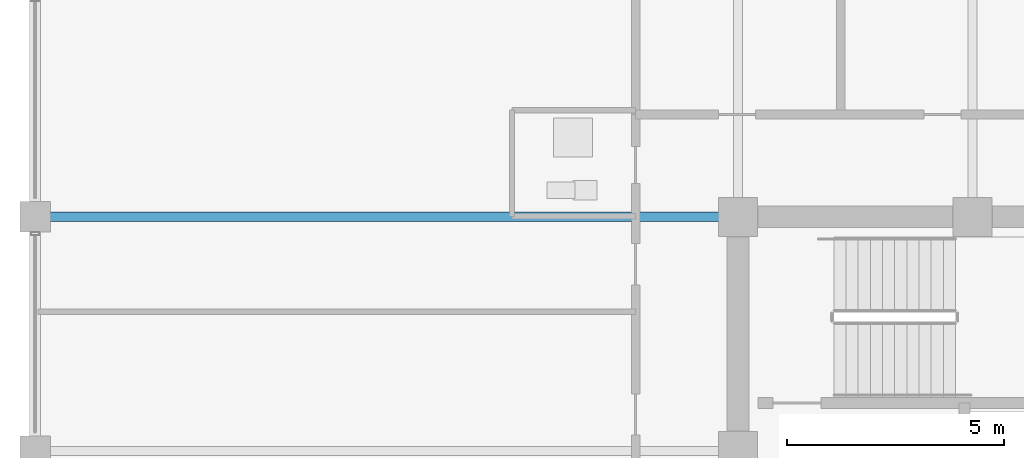
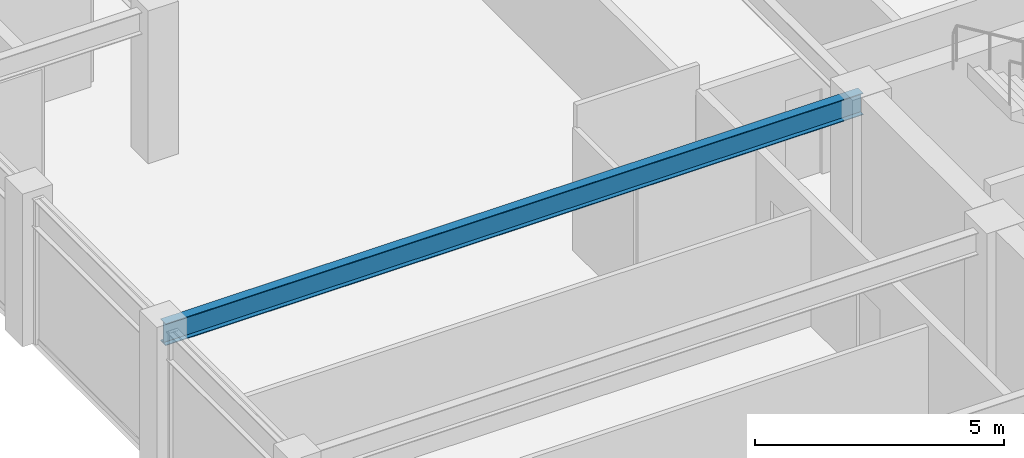
# One storey, part 15 of 31: 1 beam.
"""IFC4 building model written with IfcOpenShell, lengths in metres."""

from ifc_helpers import new_model, si_unit, direction, frame, origin, origin_2d, place, context, subcontext, project, spatial, i_section, extrude, material, material_profile, profile_set, type_object, element, save


model = new_model("IFC4")

# Units and contexts
model_context = context("Model", 3, precision=1e-05, world=origin(), true_north=direction((0.0, 1.0)))
body_context = subcontext(model_context, "Body", "Model", "MODEL_VIEW")
ifc_project = project(units=[si_unit("LENGTHUNIT", "METRE"), si_unit("AREAUNIT", "SQUARE_METRE"), si_unit("VOLUMEUNIT", "CUBIC_METRE"), si_unit("PLANEANGLEUNIT", "RADIAN"), si_unit("MASSUNIT", "GRAM", prefix="KILO")], contexts=[model_context])

# Site, building, storey
site_placement = place(None, origin())
site = spatial("IfcSite", under=ifc_project, at=site_placement, CompositionType="ELEMENT")
building_placement = place(site_placement, origin())
building = spatial("IfcBuilding", under=site, at=building_placement, Name="Surkhivell Harbour Commons", CompositionType="ELEMENT")
storey_placement = place(building_placement, frame((0.0, 0.0, 285.0)))
storey = spatial("IfcBuildingStorey", under=building, at=storey_placement, Name="L74", CompositionType="ELEMENT", Elevation=285.0)

# Beam
ifc_material = material(Name="Steel S355", Category="steel")
ifc_material_profile = material_profile(ifc_material, i_section(OverallWidth=0.2099609375, OverallDepth=0.537109375, WebThickness=0.0107421875, FlangeThickness=0.017333984375, at=origin_2d()), Name="UB533x210x101")
ifc_profile_set = profile_set([ifc_material_profile], Name="Steel S355")
beam_type = type_object("IfcBeamType", Name="BM-GRD-533B", PredefinedType="BEAM", material=ifc_profile_set)
beam_placement = place(storey_placement, frame((-27.0, 10.800048828125, 3.301513671875), z_axis=(1.0, 0.0, 0.0), x_axis=(0.0, 1.0, 0.0)))
element("IfcBeam", 1, at=beam_placement, inside=storey, type_object=beam_type, Name="L74 Floor Girder (-27.0,10.8)", PredefinedType="BEAM", context=body_context, shape_type="SweptSolid", body=[
    extrude(i_section(OverallWidth=0.2099609375, OverallDepth=0.537109375, WebThickness=0.0107421875, FlangeThickness=0.017333984375, at=origin_2d()), origin(), (0.0, 0.0, 1.0), 16.199951171875),
])

save(model, "model.ifc")
